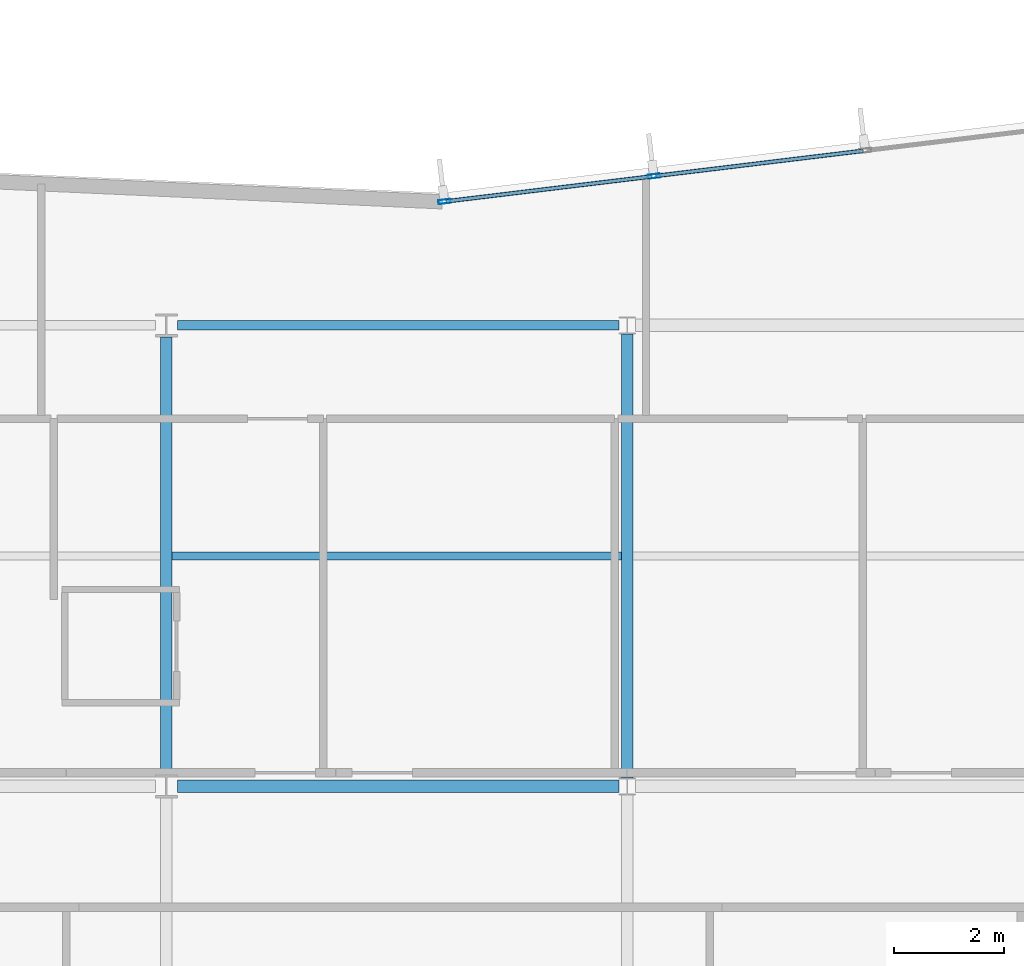
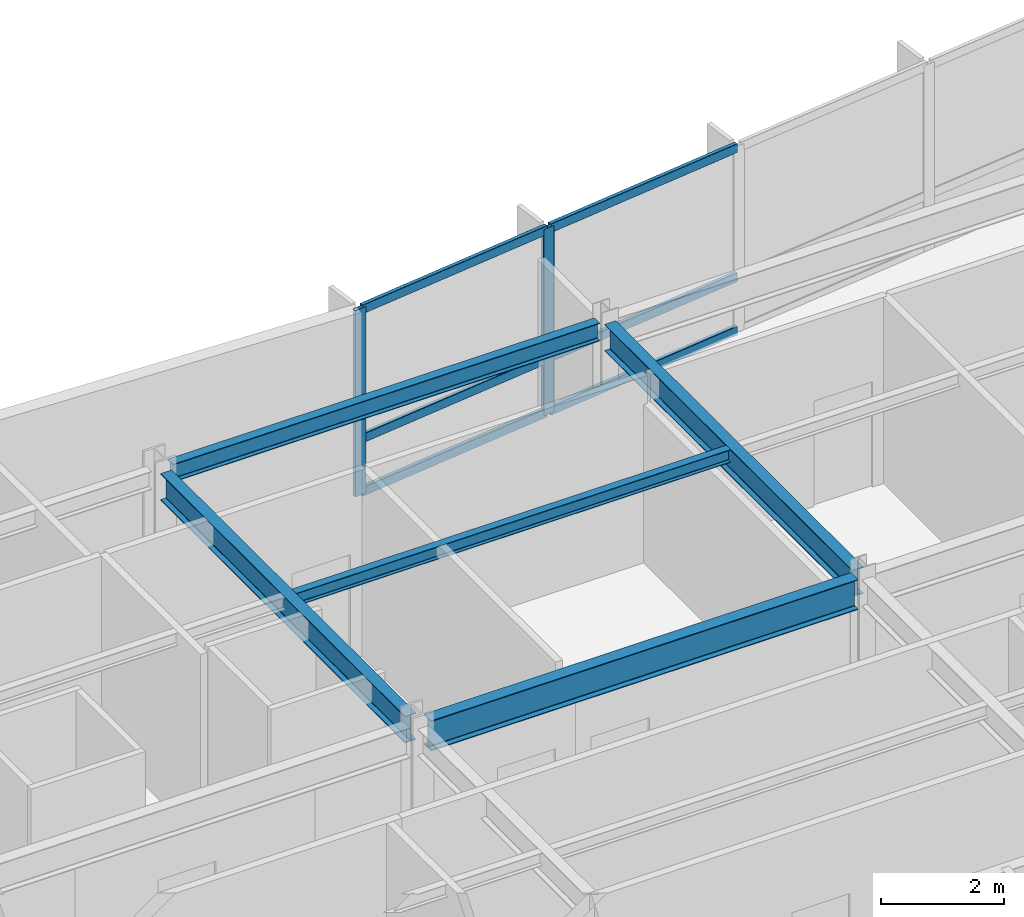
# One storey, part 6 of 18: 8 members, 5 beams, 1 element without a shape of its own.
"""IFC4 building model written with IfcOpenShell, lengths in metres."""

from ifc_helpers import new_model, si_unit, direction, frame, origin, origin_2d, place, context, subcontext, project, spatial, hollow_rectangle, i_section, extrude, material, layer, layer_set, material_profile, profile_set, type_object, element, aggregate, save


model = new_model("IFC4")

# Units and contexts
model_context = context("Model", 3, precision=1e-05, world=origin(), true_north=direction((0.0, 1.0)))
body_context = subcontext(model_context, "Body", "Model", "MODEL_VIEW")
ifc_project = project(units=[si_unit("LENGTHUNIT", "METRE"), si_unit("AREAUNIT", "SQUARE_METRE"), si_unit("VOLUMEUNIT", "CUBIC_METRE"), si_unit("PLANEANGLEUNIT", "RADIAN"), si_unit("MASSUNIT", "GRAM", prefix="KILO")], contexts=[model_context])

# Site, building, storey
site_placement = place(None, origin())
site = spatial("IfcSite", under=ifc_project, at=site_placement, CompositionType="ELEMENT")
building_placement = place(site_placement, origin())
building = spatial("IfcBuilding", under=site, at=building_placement, Name="Varnakote Quay Hospital", CompositionType="ELEMENT")
storey_placement = place(building_placement, frame((0.0, 0.0, 158.64990234375)))
storey = spatial("IfcBuildingStorey", under=building, at=storey_placement, Name="L39", CompositionType="ELEMENT", Elevation=158.64990234375)

# Beams
ifc_material_1 = material(Name="Structural steel AS/NZS 3679.1 Grade 350 L0 (fy 340 MPa)", Category="steel")
ifc_material_profile_1 = material_profile(ifc_material_1, i_section(OverallWidth=0.208984375, OverallDepth=0.532958984375, WebThickness=0.01025390625, FlangeThickness=0.015625, FilletRadius=0.013916015625, at=origin_2d()), Name="530UB92.4")
ifc_profile_set_1 = profile_set([ifc_material_profile_1], Name="Structural steel AS/NZS 3679.1 Grade 350 L0 (fy 340 MPa)")
beam_type_1 = type_object("IfcBeamType", Name="BM-STL-530UB92-4", PredefinedType="BEAM", material=ifc_profile_set_1)
beam_1_placement = place(storey_placement, frame((33.60009765625, 20.610107421875, 3.443603515625), z_axis=(0.0, 1.0, 0.0), x_axis=(-1.0, 0.0, 0.0)))
element("IfcBeam", 1, at=beam_1_placement, inside=storey, type_object=beam_type_1, Name="L39 Primary Tie Beam", PredefinedType="BEAM", context=body_context, shape_type="SweptSolid", body=[
    extrude(i_section(OverallWidth=0.208984375, OverallDepth=0.532958984375, WebThickness=0.01025390625, FlangeThickness=0.015625, FilletRadius=0.013916015625, at=origin_2d()), origin(), (0.0, 0.0, 1.0), 7.97998046875),
])
beam_2_placement = place(storey_placement, frame((42.0, 20.5576171875, 3.443603515625), z_axis=(0.0, 1.0, 0.0), x_axis=(-1.0, 0.0, 0.0)))
element("IfcBeam", 2, at=beam_2_placement, inside=storey, type_object=beam_type_1, Name="L39 Primary Tie Beam", PredefinedType="BEAM", context=body_context, shape_type="SweptSolid", body=[
    extrude(i_section(OverallWidth=0.208984375, OverallDepth=0.532958984375, WebThickness=0.01025390625, FlangeThickness=0.015625, FilletRadius=0.013916015625, at=origin_2d()), origin(), (0.0, 0.0, 1.0), 8.0849609375),
])
ifc_material_2 = material(Name="Structural steel AS/NZS 3679.1 Grade 350 L0 (fy 340 MPa)", Category="steel")
ifc_material_profile_2 = material_profile(ifc_material_2, i_section(OverallWidth=0.22802734375, OverallDepth=0.60205078125, WebThickness=0.010498046875, FlangeThickness=0.014892578125, FilletRadius=0.013916015625, at=origin_2d()), Name="610UB101")
ifc_profile_set_2 = profile_set([ifc_material_profile_2], Name="Structural steel AS/NZS 3679.1 Grade 350 L0 (fy 340 MPa)")
beam_type_2 = type_object("IfcBeamType", Name="BM-STL-610UB101", PredefinedType="BEAM", material=ifc_profile_set_2)
beam_3_placement = place(storey_placement, frame((33.800048828125, 20.39990234375, 3.4091796875), z_axis=(1.0, 0.0, 0.0), x_axis=(0.0, 1.0, 0.0)))
element("IfcBeam", 3, at=beam_3_placement, inside=storey, type_object=beam_type_2, Name="L39 Primary Floor Beam", PredefinedType="BEAM", context=body_context, shape_type="SweptSolid", body=[
    extrude(i_section(OverallWidth=0.22802734375, OverallDepth=0.60205078125, WebThickness=0.010498046875, FlangeThickness=0.014892578125, FilletRadius=0.013916015625, at=origin_2d()), origin(), (0.0, 0.0, 1.0), 8.04638671875),
])

# Curtain wall, members
ifc_material_3 = material(Name="Anodised aluminium 6063-T6 Bronze", Category="aluminium")
ifc_layer = layer(ifc_material_3, 0.205078125)
ifc_layer_set = layer_set([ifc_layer], Name="Anodised aluminium 6063-T6 Bronze")
curtain_wall_type = type_object("IfcCurtainWallType", Name="CW-SYS-3", PredefinedType="NOTDEFINED", material=ifc_layer_set)
curtain_wall_placement = place(storey_placement, origin())
curtain_wall = element("IfcCurtainWall", 4, at=curtain_wall_placement, inside=storey, type_object=curtain_wall_type, Name="L39 Unitised Bronze Curtain Wall 2", PredefinedType="NOTDEFINED")
ifc_material_4 = material(Name="Anodised aluminium 6063-T6 Bronze", Category="aluminium")
ifc_material_profile_3 = material_profile(ifc_material_4, hollow_rectangle(XDim=0.074951171875, YDim=0.219970703125, WallThickness=0.00439453125, InnerFilletRadius=0.00439453125, OuterFilletRadius=0.009033203125, at=origin_2d()), Name="CW-MULL-220x75")
ifc_profile_set_3 = profile_set([ifc_material_profile_3], Name="Anodised aluminium 6063-T6 Bronze")
member_type_1 = type_object("IfcMemberType", Name="CW-MULL-220x75", PredefinedType="MULLION", material=ifc_profile_set_3)
member_1_placement = place(storey_placement, frame((42.482666015625, 31.5185546875, 0.0), z_axis=(0.0, 0.0, 1.0), x_axis=(0.12032713492, -0.992734295067, 0.0)))
member_1 = element("IfcMember", 5, at=member_1_placement, type_object=member_type_1, Name="-3-L39-2 mullion 4", PredefinedType="MULLION", context=body_context, shape_type="SweptSolid", body=[
    extrude(hollow_rectangle(XDim=0.074951171875, YDim=0.219970703125, WallThickness=0.00439453125, InnerFilletRadius=0.00439453125, OuterFilletRadius=0.009033203125, at=origin_2d()), origin(), (0.0, 0.0, 1.0), 3.710205078125),
])
member_2_placement = place(storey_placement, frame((38.667236328125, 31.05615234375, 0.0), z_axis=(0.0, 0.0, 1.0), x_axis=(0.12032713492, -0.992734295067, 0.0)))
member_2 = element("IfcMember", 6, at=member_2_placement, type_object=member_type_1, Name="-3-L39-2 mullion 5", PredefinedType="MULLION", context=body_context, shape_type="SweptSolid", body=[
    extrude(hollow_rectangle(XDim=0.074951171875, YDim=0.219970703125, WallThickness=0.00439453125, InnerFilletRadius=0.00439453125, OuterFilletRadius=0.009033203125, at=origin_2d()), origin(), (0.0, 0.0, 1.0), 3.710205078125),
])
ifc_material_5 = material(Name="Anodised aluminium 6063-T6 Bronze", Category="aluminium")
ifc_material_profile_4 = material_profile(ifc_material_5, hollow_rectangle(XDim=0.074951171875, YDim=0.179931640625, WallThickness=0.004150390625, InnerFilletRadius=0.004150390625, OuterFilletRadius=0.00830078125, at=origin_2d()), Name="CW-TRAN-180x75")
ifc_profile_set_4 = profile_set([ifc_material_profile_4], Name="Anodised aluminium 6063-T6 Bronze")
member_type_2 = type_object("IfcMemberType", Name="CW-TRAN-180x75", PredefinedType="USERDEFINED", material=ifc_profile_set_4)
member_3_placement = place(storey_placement, frame((46.2978515625, 31.98095703125, 0.03759765625), z_axis=(-0.992731924158, -0.120346694005, 0.0), x_axis=(0.120346694005, -0.992731924158, 0.0)))
member_3 = element("IfcMember", 7, at=member_3_placement, type_object=member_type_2, Name="-3-L39-2 transom 3.1", ObjectType="TRANSOM", PredefinedType="USERDEFINED", context=body_context, shape_type="SweptSolid", body=[
    extrude(hollow_rectangle(XDim=0.074951171875, YDim=0.179931640625, WallThickness=0.004150390625, InnerFilletRadius=0.004150390625, OuterFilletRadius=0.00830078125, at=origin_2d()), origin(), (0.0, 0.0, 1.0), 3.8056640625),
])
member_4_placement = place(storey_placement, frame((46.2978515625, 31.98095703125, 1.10009765625), z_axis=(-0.992731924158, -0.120346694005, 0.0), x_axis=(0.120346694005, -0.992731924158, 0.0)))
member_4 = element("IfcMember", 8, at=member_4_placement, type_object=member_type_2, Name="-3-L39-2 transom 3.2", ObjectType="TRANSOM", PredefinedType="USERDEFINED", context=body_context, shape_type="SweptSolid", body=[
    extrude(hollow_rectangle(XDim=0.074951171875, YDim=0.179931640625, WallThickness=0.004150390625, InnerFilletRadius=0.004150390625, OuterFilletRadius=0.00830078125, at=origin_2d()), origin(), (0.0, 0.0, 1.0), 3.8056640625),
])
member_5_placement = place(storey_placement, frame((46.2978515625, 31.98095703125, 3.672607421875), z_axis=(-0.992731924158, -0.120346694005, 0.0), x_axis=(0.120346694005, -0.992731924158, 0.0)))
member_5 = element("IfcMember", 9, at=member_5_placement, type_object=member_type_2, Name="-3-L39-2 transom 3.3", ObjectType="TRANSOM", PredefinedType="USERDEFINED", context=body_context, shape_type="SweptSolid", body=[
    extrude(hollow_rectangle(XDim=0.074951171875, YDim=0.179931640625, WallThickness=0.004150390625, InnerFilletRadius=0.004150390625, OuterFilletRadius=0.00830078125, at=origin_2d()), origin(), (0.0, 0.0, 1.0), 3.8056640625),
])
member_6_placement = place(storey_placement, frame((42.4453125, 31.513916015625, 0.03759765625), z_axis=(-0.992735423717, -0.120317822859, 0.0), x_axis=(0.120317822859, -0.992735423717, 0.0)))
member_6 = element("IfcMember", 10, at=member_6_placement, type_object=member_type_2, Name="-3-L39-2 transom 4.1", ObjectType="TRANSOM", PredefinedType="USERDEFINED", context=body_context, shape_type="SweptSolid", body=[
    extrude(hollow_rectangle(XDim=0.074951171875, YDim=0.179931640625, WallThickness=0.004150390625, InnerFilletRadius=0.004150390625, OuterFilletRadius=0.00830078125, at=origin_2d()), origin(), (0.0, 0.0, 1.0), 3.76806640625),
])
member_7_placement = place(storey_placement, frame((42.4453125, 31.513916015625, 1.10009765625), z_axis=(-0.992735423717, -0.120317822859, 0.0), x_axis=(0.120317822859, -0.992735423717, 0.0)))
member_7 = element("IfcMember", 11, at=member_7_placement, type_object=member_type_2, Name="-3-L39-2 transom 4.2", ObjectType="TRANSOM", PredefinedType="USERDEFINED", context=body_context, shape_type="SweptSolid", body=[
    extrude(hollow_rectangle(XDim=0.074951171875, YDim=0.179931640625, WallThickness=0.004150390625, InnerFilletRadius=0.004150390625, OuterFilletRadius=0.00830078125, at=origin_2d()), origin(), (0.0, 0.0, 1.0), 3.76806640625),
])
member_8_placement = place(storey_placement, frame((42.4453125, 31.513916015625, 3.672607421875), z_axis=(-0.992735423717, -0.120317822859, 0.0), x_axis=(0.120317822859, -0.992735423717, 0.0)))
member_8 = element("IfcMember", 12, at=member_8_placement, type_object=member_type_2, Name="-3-L39-2 transom 4.3", ObjectType="TRANSOM", PredefinedType="USERDEFINED", context=body_context, shape_type="SweptSolid", body=[
    extrude(hollow_rectangle(XDim=0.074951171875, YDim=0.179931640625, WallThickness=0.004150390625, InnerFilletRadius=0.004150390625, OuterFilletRadius=0.00830078125, at=origin_2d()), origin(), (0.0, 0.0, 1.0), 3.76806640625),
])
aggregate(curtain_wall, [member_1, member_2, member_3, member_4, member_5, member_6, member_7, member_8])

# Beams
ifc_material_6 = material(Name="Structural steel AS/NZS 3679.1 Grade 350 L0 (fy 340 MPa)", Category="steel")
ifc_material_profile_5 = material_profile(ifc_material_6, i_section(OverallWidth=0.14599609375, OverallDepth=0.256103515625, WebThickness=0.00634765625, FlangeThickness=0.010986328125, FilletRadius=0.0087890625, at=origin_2d()), Name="250UB37.3")
ifc_profile_set_5 = profile_set([ifc_material_profile_5], Name="Structural steel AS/NZS 3679.1 Grade 350 L0 (fy 340 MPa)")
beam_type_3 = type_object("IfcBeamType", Name="JST-STL-250UB37-3", PredefinedType="JOIST", material=ifc_profile_set_5)
beam_4_placement = place(storey_placement, frame((33.70458984375, 24.60009765625, 3.58203125), z_axis=(1.0, 0.0, 0.0), x_axis=(0.0, 1.0, 0.0)))
element("IfcBeam", 13, at=beam_4_placement, inside=storey, type_object=beam_type_3, Name="L39 Composite Floor Joist", PredefinedType="JOIST", context=body_context, shape_type="SweptSolid", body=[
    extrude(i_section(OverallWidth=0.14599609375, OverallDepth=0.256103515625, WebThickness=0.00634765625, FlangeThickness=0.010986328125, FilletRadius=0.0087890625, at=origin_2d()), origin(), (0.0, 0.0, 1.0), 8.19091796875),
])
ifc_material_7 = material(Name="Structural steel AS/NZS 3679.1 Grade 350 L0 (fy 340 MPa)", Category="steel")
ifc_material_profile_6 = material_profile(ifc_material_7, i_section(OverallWidth=0.172119140625, OverallDepth=0.35888671875, WebThickness=0.008056640625, FlangeThickness=0.012939453125, FilletRadius=0.011474609375, at=origin_2d()), Name="360UB56.7")
ifc_profile_set_6 = profile_set([ifc_material_profile_6], Name="Structural steel AS/NZS 3679.1 Grade 350 L0 (fy 340 MPa)")
beam_type_4 = type_object("IfcBeamType", Name="SPN-STL-360UB56-7", PredefinedType="SPANDREL", material=ifc_profile_set_6)
beam_5_placement = place(storey_placement, frame((33.800048828125, 28.800048828125, 3.530517578125), z_axis=(1.0, 0.0, 0.0), x_axis=(0.0, 1.0, 0.0)))
element("IfcBeam", 14, at=beam_5_placement, inside=storey, type_object=beam_type_4, Name="L39 Perimeter Spandrel Beam", PredefinedType="SPANDREL", context=body_context, shape_type="SweptSolid", body=[
    extrude(i_section(OverallWidth=0.172119140625, OverallDepth=0.35888671875, WebThickness=0.008056640625, FlangeThickness=0.012939453125, FilletRadius=0.011474609375, at=origin_2d()), origin(), (0.0, 0.0, 1.0), 8.04638671875),
])

save(model, "model.ifc")
